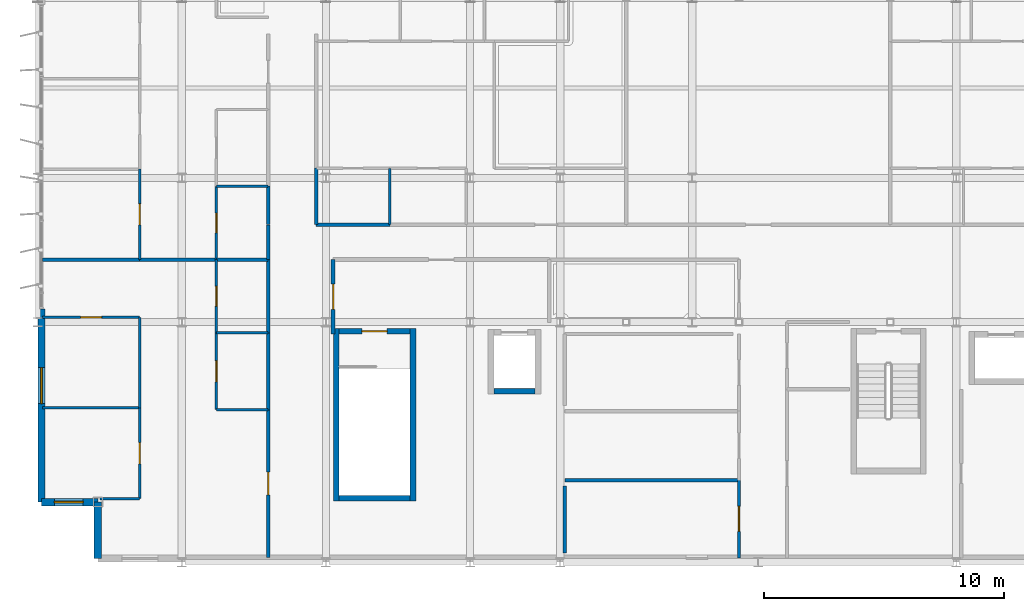
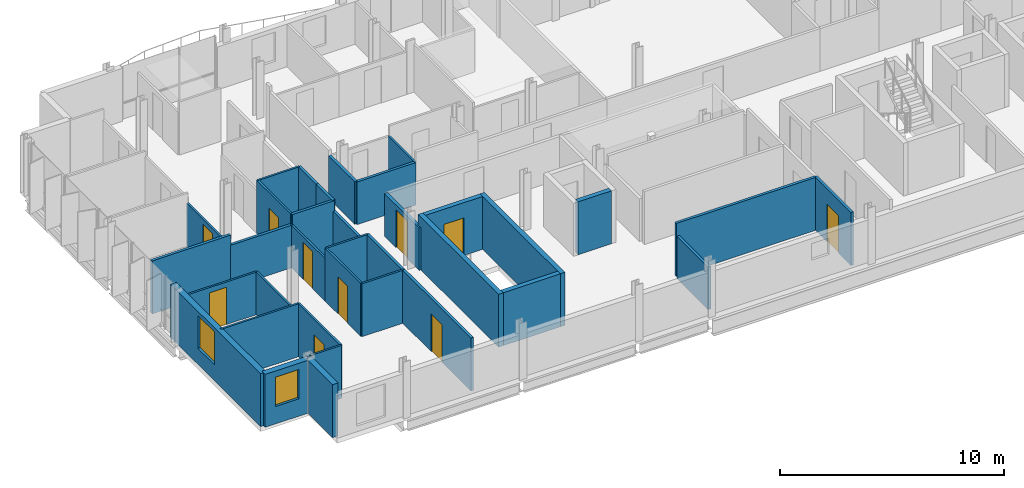
# One storey, part 26 of 35: 35 walls, 10 doors, 2 windows, 12 openings.
"""IFC4 building model written with IfcOpenShell, lengths in metres."""

from ifc_helpers import new_model, si_unit, direction, frame, frame_2d, origin, place, context, subcontext, project, spatial, rectangle, extrude, material, layer, layer_set, type_object, element, fill, save


model = new_model("IFC4")

# Units and contexts
model_context = context("Model", 3, precision=1e-05, world=origin(), true_north=direction((0.0, 1.0)))
body_context = subcontext(model_context, "Body", "Model", "MODEL_VIEW")
ifc_project = project(units=[si_unit("LENGTHUNIT", "METRE"), si_unit("AREAUNIT", "SQUARE_METRE"), si_unit("VOLUMEUNIT", "CUBIC_METRE"), si_unit("PLANEANGLEUNIT", "RADIAN"), si_unit("MASSUNIT", "GRAM", prefix="KILO")], contexts=[model_context])

# Site, building, storey
site_placement = place(None, origin())
site = spatial("IfcSite", under=ifc_project, at=site_placement, CompositionType="ELEMENT")
building_placement = place(site_placement, origin())
building = spatial("IfcBuilding", under=site, at=building_placement, Name="Brevholm Reach", CompositionType="ELEMENT")
storey_placement = place(building_placement, frame((0.0, 0.0, 218.0)))
storey = spatial("IfcBuildingStorey", under=building, at=storey_placement, Name="L66", CompositionType="ELEMENT", Elevation=218.0)

# Walls
ifc_material_1 = material(Name="Concrete C45/55", Category="concrete")
ifc_layer_1 = layer(ifc_material_1, 0.239990234375)
ifc_layer_set_1 = layer_set([ifc_layer_1], Name="Concrete C45/55")
wall_type_1 = type_object("IfcWallType", Name="WAL-COR-240", PredefinedType="SHEAR", material=ifc_layer_set_1)
for number, where, z_axis, x_axis, name in (
    (1, (12.429931640625, 2.5400390625, 0.0), (0.0, 0.0, 1.0), (0.0, 1.0, 0.0), "L66 Escape Stair ST-1 Core Wall W"),
    (2, (15.6201171875, 2.5400390625, 0.0), (0.0, 0.0, 1.0), (0.0, 1.0, 0.0), "L66 Escape Stair ST-1 Core Wall E"),
):
    element("IfcWall", number, at=place(storey_placement, frame(where, z_axis=z_axis, x_axis=x_axis)), inside=storey, type_object=wall_type_1, Name=name, PredefinedType="SHEAR", context=body_context, shape_type="SweptSolid", body=[
        extrude(rectangle(XDim=7.199951171875, YDim=0.239990234375, at=frame_2d((3.60009765625, 0.0))), origin(), (0.0, 0.0, 1.0), 2.889892578125),
    ])
wall_1_placement = place(storey_placement, frame((12.550048828125, 2.659912109375, 0.0), z_axis=(0.0, 0.0, 1.0), x_axis=(1.0, 0.0, 0.0)))
element("IfcWall", 3, at=wall_1_placement, inside=storey, type_object=wall_type_1, Name="L66 Escape Stair ST-1 Core Wall S", PredefinedType="SHEAR", context=body_context, shape_type="SweptSolid", body=[
    extrude(rectangle(XDim=2.949951171875, YDim=0.239990234375, at=frame_2d((1.47509765625, 0.0))), origin(), (0.0, 0.0, 1.0), 2.889892578125),
])

# Wall, opening, door
wall_2_placement = place(storey_placement, frame((15.5, 9.6201171875, 0.0), z_axis=(0.0, 0.0, 1.0), x_axis=(-1.0, 0.0, 0.0)))
wall_2 = element("IfcWall", 4, at=wall_2_placement, inside=storey, type_object=wall_type_1, Name="L66 Escape Stair ST-1 Core Wall N", PredefinedType="SHEAR", context=body_context, shape_type="SweptSolid", body=[
    extrude(rectangle(XDim=2.949951171875, YDim=0.239990234375, at=frame_2d((1.47509765625, 0.0))), origin(), (0.0, 0.0, 1.0), 2.889892578125),
])
opening_1_placement = place(wall_2_placement, frame((0.949951171875, 0.0, 0.0)))
opening_1 = element("IfcOpeningElement", 5, at=opening_1_placement, cuts=wall_2, Name="Opening SD-ST-1", PredefinedType="OPENING", context=body_context, shape_type="SweptSolid", body=[
    extrude(rectangle(XDim=1.050048828125, YDim=2.06005859375, at=frame_2d((0.52490234375, 1.030029296875))), frame((0.0, 0.1298828125, 0.0), z_axis=(0.0, -1.0, 0.0), x_axis=(1.0, 0.0, 0.0)), (0.0, 0.0, 1.0), 0.260009765625),
])
ifc_material_2 = material(Name="Hardwood-Lipped Steel-Core Fire and Smoke Door", Category="steel")
door_type_1 = type_object("IfcDoorType", Name="DOR-INT-FD60S", OperationType="NOTDEFINED", PredefinedType="DOOR", material=ifc_material_2)
door_1_placement = place(opening_1_placement, origin())
door_1 = element("IfcDoor", 6, at=door_1_placement, inside=storey, type_object=door_type_1, Name="L66 Protected Stair ST-1 Lobby Door", OperationType="SINGLE_SWING_RIGHT", OverallHeight=2.06005859375, OverallWidth=1.050048828125, PredefinedType="DOOR", context=body_context, shape_type="SweptSolid", body=[
    extrude(rectangle(XDim=1.050048828125, YDim=2.06005859375, at=frame_2d((0.52490234375, 1.030029296875))), frame((0.0, 0.02490234375, 0.0), z_axis=(0.0, -1.0, 0.0), x_axis=(1.0, 0.0, 0.0)), (0.0, 0.0, 1.0), 0.050048828125),
])
fill(opening_1, door_1)

# Walls
wall_3_placement = place(storey_placement, frame((18.989990234375, 7.1201171875, 0.0), z_axis=(0.0, 0.0, 1.0), x_axis=(1.0, 0.0, 0.0)))
element("IfcWall", 7, at=wall_3_placement, inside=storey, type_object=wall_type_1, Name="L66 Lift FFL-1 Shaft Wall S", PredefinedType="SHEAR", context=body_context, shape_type="SweptSolid", body=[
    extrude(rectangle(XDim=1.719970703125, YDim=0.239990234375, at=frame_2d((0.85986328125, 0.0))), origin(), (0.0, 0.0, 1.0), 2.889892578125),
])
ifc_material_3 = material(Name="Concrete C40/50", Category="concrete")
ifc_layer_2 = layer(ifc_material_3, 0.300048828125)
ifc_layer_set_2 = layer_set([ifc_layer_2], Name="Concrete C40/50")
wall_type_2 = type_object("IfcWallType", Name="WAL-EXT-300", PredefinedType="STANDARD", material=ifc_layer_set_2)
wall_4_placement = place(storey_placement, frame((2.5, 2.5, 0.0), z_axis=(0.0, 0.0, 1.0), x_axis=(0.0, -1.0, 0.0)))
element("IfcWall", 8, at=wall_4_placement, inside=storey, type_object=wall_type_2, Name="L66 Facade Wall WAL-L66-CSW1", PredefinedType="STANDARD", context=body_context, shape_type="SweptSolid", body=[
    extrude(rectangle(XDim=2.35009765625, YDim=0.300048828125, at=frame_2d((1.175048828125, 0.0))), origin(), (0.0, 0.0, 1.0), 2.889892578125),
])

# Wall, opening, window
wall_5_placement = place(storey_placement, frame((0.14990234375, 2.5, 0.0), z_axis=(0.0, 0.0, 1.0), x_axis=(1.0, 0.0, 0.0)))
wall_5 = element("IfcWall", 9, at=wall_5_placement, inside=storey, type_object=wall_type_2, Name="L66 Facade Wall WAL-L66-CSW2", PredefinedType="STANDARD", context=body_context, shape_type="SweptSolid", body=[
    extrude(rectangle(XDim=2.35009765625, YDim=0.300048828125, at=frame_2d((1.175048828125, 0.0))), origin(), (0.0, 0.0, 1.0), 2.889892578125),
])
opening_2_placement = place(wall_5_placement, frame((0.5400390625, 0.0, 0.949951171875)))
opening_2 = element("IfcOpeningElement", 10, at=opening_2_placement, cuts=wall_5, Name="Opening WN-08", PredefinedType="OPENING", context=body_context, shape_type="SweptSolid", body=[
    extrude(rectangle(XDim=1.199951171875, YDim=1.60009765625, at=frame_2d((0.60009765625, 0.800048828125))), frame((0.0, 0.159912109375, 0.0), z_axis=(0.0, -1.0, 0.0), x_axis=(1.0, 0.0, 0.0)), (0.0, 0.0, 1.0), 0.320068359375),
])
ifc_material_4 = material(Name="Dark Anodised Aluminium and Solar-Control IGU Glass", Category="aluminium")
window_type_1 = type_object("IfcWindowType", Name="WIN-RES-1200", PartitioningType="SINGLE_PANEL", PredefinedType="WINDOW", material=ifc_material_4)
window_1_placement = place(opening_2_placement, origin())
window_1 = element("IfcWindow", 11, at=window_1_placement, inside=storey, type_object=window_type_1, Name="L66 Bedroom Window 072", OverallHeight=1.60009765625, OverallWidth=1.199951171875, PartitioningType="SINGLE_PANEL", PredefinedType="WINDOW", context=body_context, shape_type="SweptSolid", body=[
    extrude(rectangle(XDim=1.199951171875, YDim=1.60009765625, at=frame_2d((0.60009765625, 0.800048828125))), frame((0.0, 0.030029296875, 0.0), z_axis=(0.0, -1.0, 0.0), x_axis=(1.0, 0.0, 0.0)), (0.0, 0.0, 1.0), 0.06005859375),
])
fill(opening_2, window_1)

wall_6_placement = place(storey_placement, frame((0.14990234375, 10.550048828125, 0.0), z_axis=(0.0, 0.0, 1.0), x_axis=(0.0, -1.0, 0.0)))
wall_6 = element("IfcWall", 12, at=wall_6_placement, inside=storey, type_object=wall_type_2, Name="L66 Facade Wall WAL-L66-W-S", PredefinedType="STANDARD", context=body_context, shape_type="SweptSolid", body=[
    extrude(rectangle(XDim=8.050048828125, YDim=0.300048828125, at=frame_2d((4.02490234375, 0.0))), origin(), (0.0, 0.0, 1.0), 2.889892578125),
])
opening_3_placement = place(wall_6_placement, frame((2.445068359375, 0.0, 0.8701171875)))
opening_3 = element("IfcOpeningElement", 13, at=opening_3_placement, cuts=wall_6, Name="Opening WN-05", PredefinedType="OPENING", context=body_context, shape_type="SweptSolid", body=[
    extrude(rectangle(XDim=1.5, YDim=1.800048828125, at=frame_2d((0.75, 0.89990234375))), frame((0.0, 0.159912109375, 0.0), z_axis=(0.0, -1.0, 0.0), x_axis=(1.0, 0.0, 0.0)), (0.0, 0.0, 1.0), 0.320068359375),
])
ifc_material_5 = material(Name="Dark Anodised Aluminium and Solar-Control IGU Glass", Category="aluminium")
window_type_2 = type_object("IfcWindowType", Name="WIN-RES-1500", PartitioningType="SINGLE_PANEL", PredefinedType="WINDOW", material=ifc_material_5)
window_2_placement = place(opening_3_placement, origin())
window_2 = element("IfcWindow", 14, at=window_2_placement, inside=storey, type_object=window_type_2, Name="L66 Window WIN-L66-WS-1", OverallHeight=1.800048828125, OverallWidth=1.5, PartitioningType="SINGLE_PANEL", PredefinedType="WINDOW", context=body_context, shape_type="SweptSolid", body=[
    extrude(rectangle(XDim=1.5, YDim=1.800048828125, at=frame_2d((0.75, 0.89990234375))), frame((0.0, 0.030029296875, 0.0), z_axis=(0.0, -1.0, 0.0), x_axis=(1.0, 0.0, 0.0)), (0.0, 0.0, 1.0), 0.06005859375),
])
fill(opening_3, window_2)

# Wall
ifc_material_6 = material(Name="Moisture-Resistant Acoustic Gypsum Stud Partition 100 mm", Category="gypsum")
ifc_layer_3 = layer(ifc_material_6, 0.10009765625)
ifc_layer_set_3 = layer_set([ifc_layer_3], Name="Moisture-Resistant Acoustic Gypsum Stud Partition 100 mm")
wall_type_3 = type_object("IfcWallType", Name="WAL-PRT-100", PredefinedType="PARTITIONING", material=ifc_layer_set_3)
wall_7_placement = place(storey_placement, frame((7.43798828125, 9.550048828125, 0.0), z_axis=(0.0, 0.0, 1.0), x_axis=(1.0, 0.0, 0.0)))
element("IfcWall", 15, at=wall_7_placement, inside=storey, type_object=wall_type_3, Name="L66 Internal Partition 038", PredefinedType="PARTITIONING", context=body_context, shape_type="SweptSolid", body=[
    extrude(rectangle(XDim=2.157958984375, YDim=0.10009765625, at=frame_2d((1.0791015625, 0.0))), origin(), (0.0, 0.0, 1.0), 2.889892578125),
])

# Wall, opening, door
wall_8_placement = place(storey_placement, frame((7.43798828125, 9.550048828125, 0.0), z_axis=(0.0, 0.0, 1.0), x_axis=(0.0, 1.0, 0.0)))
wall_8 = element("IfcWall", 16, at=wall_8_placement, inside=storey, type_object=wall_type_3, Name="L66 Internal Partition 039", PredefinedType="PARTITIONING", context=body_context, shape_type="SweptSolid", body=[
    extrude(rectangle(XDim=3.050048828125, YDim=0.10009765625, at=frame_2d((1.52490234375, 0.0))), origin(), (0.0, 0.0, 1.0), 2.325439453125),
])
opening_4_placement = place(wall_8_placement, frame((1.114990234375, 0.0, 0.0)))
opening_4 = element("IfcOpeningElement", 17, at=opening_4_placement, cuts=wall_8, Name="Opening ID-03", PredefinedType="OPENING", context=body_context, shape_type="SweptSolid", body=[
    extrude(rectangle(XDim=0.820068359375, YDim=2.02001953125, at=frame_2d((0.41015625, 1.010009765625))), frame((0.0, 0.06005859375, 0.0), z_axis=(0.0, -1.0, 0.0), x_axis=(1.0, 0.0, 0.0)), (0.0, 0.0, 1.0), 0.1201171875),
])
ifc_material_7 = material(Name="Moisture-Resistant Painted Timber Internal Bathroom Door", Category="wood")
door_type_2 = type_object("IfcDoorType", Name="DOR-BATH-820", OperationType="NOTDEFINED", PredefinedType="DOOR", material=ifc_material_7)
door_2_placement = place(opening_4_placement, origin())
door_2 = element("IfcDoor", 18, at=door_2_placement, inside=storey, type_object=door_type_2, Name="L66 Internal Door 019", OperationType="SINGLE_SWING_RIGHT", OverallHeight=2.02001953125, OverallWidth=0.820068359375, PredefinedType="DOOR", context=body_context, shape_type="SweptSolid", body=[
    extrude(rectangle(XDim=0.820068359375, YDim=2.02001953125, at=frame_2d((0.41015625, 1.010009765625))), frame((0.0, 0.02490234375, 0.0), z_axis=(0.0, -1.0, 0.0), x_axis=(1.0, 0.0, 0.0)), (0.0, 0.0, 1.0), 0.050048828125),
])
fill(opening_4, door_2)

# Wall
wall_9_placement = place(storey_placement, frame((7.43798828125, 6.35009765625, 0.0), z_axis=(0.0, 0.0, 1.0), x_axis=(1.0, 0.0, 0.0)))
element("IfcWall", 19, at=wall_9_placement, inside=storey, type_object=wall_type_3, Name="L66 Internal Partition 041", PredefinedType="PARTITIONING", context=body_context, shape_type="SweptSolid", body=[
    extrude(rectangle(XDim=2.157958984375, YDim=0.10009765625, at=frame_2d((1.0791015625, 0.0))), origin(), (0.0, 0.0, 1.0), 2.889892578125),
])

# Wall, opening, door
wall_10_placement = place(storey_placement, frame((7.43798828125, 6.35009765625, 0.0), z_axis=(0.0, 0.0, 1.0), x_axis=(0.0, 1.0, 0.0)))
wall_10 = element("IfcWall", 20, at=wall_10_placement, inside=storey, type_object=wall_type_3, Name="L66 Internal Partition 042", PredefinedType="PARTITIONING", context=body_context, shape_type="SweptSolid", body=[
    extrude(rectangle(XDim=3.19580078125, YDim=0.10009765625, at=frame_2d((1.597900390625, 0.0))), origin(), (0.0, 0.0, 1.0), 2.889892578125),
])
opening_5_placement = place(wall_10_placement, frame((1.157958984375, 0.0, 0.0)))
opening_5 = element("IfcOpeningElement", 21, at=opening_5_placement, cuts=wall_10, Name="Opening ID-01", PredefinedType="OPENING", context=body_context, shape_type="SweptSolid", body=[
    extrude(rectangle(XDim=0.8798828125, YDim=2.0400390625, at=frame_2d((0.43994140625, 1.02001953125))), frame((0.0, 0.06005859375, 0.0), z_axis=(0.0, -1.0, 0.0), x_axis=(1.0, 0.0, 0.0)), (0.0, 0.0, 1.0), 0.1201171875),
])
ifc_material_8 = material(Name="Lacquered Ash Solid-Core Acoustic Internal Door", Category="timber")
door_type_3 = type_object("IfcDoorType", Name="DOR-INT-880", OperationType="NOTDEFINED", PredefinedType="DOOR", material=ifc_material_8)
door_3_placement = place(opening_5_placement, origin())
door_3 = element("IfcDoor", 22, at=door_3_placement, inside=storey, type_object=door_type_3, Name="L66 Internal Door 020", OperationType="SINGLE_SWING_LEFT", OverallHeight=2.0400390625, OverallWidth=0.8798828125, PredefinedType="DOOR", context=body_context, shape_type="SweptSolid", body=[
    extrude(rectangle(XDim=0.8798828125, YDim=2.0400390625, at=frame_2d((0.43994140625, 1.02001953125))), frame((0.0, 0.02490234375, 0.0), z_axis=(0.0, -1.0, 0.0), x_axis=(1.0, 0.0, 0.0)), (0.0, 0.0, 1.0), 0.050048828125),
])
fill(opening_5, door_3)

# Walls
wall_11_placement = place(storey_placement, frame((0.199951171875, 6.425048828125, 0.0), z_axis=(0.0, 0.0, 1.0), x_axis=(1.0, 0.0, 0.0)))
element("IfcWall", 23, at=wall_11_placement, inside=storey, type_object=wall_type_3, Name="L66 Internal Partition 043", PredefinedType="PARTITIONING", context=body_context, shape_type="SweptSolid", body=[
    extrude(rectangle(XDim=4.0419921875, YDim=0.10009765625, at=frame_2d((2.02099609375, 0.0))), origin(), (0.0, 0.0, 1.0), 2.889892578125),
])
wall_12_placement = place(storey_placement, frame((2.599365234375, 2.64990234375, 0.0), z_axis=(0.0, 0.0, 1.0), x_axis=(1.0, 0.0, 0.0)))
element("IfcWall", 24, at=wall_12_placement, inside=storey, type_object=wall_type_3, Name="L66 Internal Partition 044", PredefinedType="PARTITIONING", context=body_context, shape_type="SweptSolid", body=[
    extrude(rectangle(XDim=1.642578125, YDim=0.10009765625, at=frame_2d((0.8212890625, 0.0))), origin(), (0.0, 0.0, 1.0), 2.889892578125),
])

# Wall, opening, door
wall_13_placement = place(storey_placement, frame((4.241943359375, 2.64990234375, 0.0), z_axis=(0.0, 0.0, 1.0), x_axis=(0.0, 1.0, 0.0)))
wall_13 = element("IfcWall", 25, at=wall_13_placement, inside=storey, type_object=wall_type_3, Name="L66 Internal Partition 045", PredefinedType="PARTITIONING", context=body_context, shape_type="SweptSolid", body=[
    extrude(rectangle(XDim=3.775146484375, YDim=0.10009765625, at=frame_2d((1.8876953125, 0.0))), origin(), (0.0, 0.0, 1.0), 2.889892578125),
])
opening_6_placement = place(wall_13_placement, frame((1.447509765625, 0.0, 0.0)))
opening_6 = element("IfcOpeningElement", 26, at=opening_6_placement, cuts=wall_13, Name="Opening ID-01", PredefinedType="OPENING", context=body_context, shape_type="SweptSolid", body=[
    extrude(rectangle(XDim=0.8798828125, YDim=2.0400390625, at=frame_2d((0.43994140625, 1.02001953125))), frame((0.0, 0.06005859375, 0.0), z_axis=(0.0, -1.0, 0.0), x_axis=(1.0, 0.0, 0.0)), (0.0, 0.0, 1.0), 0.1201171875),
])
door_4_placement = place(opening_6_placement, origin())
door_4 = element("IfcDoor", 27, at=door_4_placement, inside=storey, type_object=door_type_3, Name="L66 Internal Door 021", OperationType="SINGLE_SWING_RIGHT", OverallHeight=2.0400390625, OverallWidth=0.8798828125, PredefinedType="DOOR", context=body_context, shape_type="SweptSolid", body=[
    extrude(rectangle(XDim=0.8798828125, YDim=2.0400390625, at=frame_2d((0.43994140625, 1.02001953125))), frame((0.0, 0.02490234375, 0.0), z_axis=(0.0, -1.0, 0.0), x_axis=(1.0, 0.0, 0.0)), (0.0, 0.0, 1.0), 0.050048828125),
])
fill(opening_6, door_4)

# Wall
wall_14_placement = place(storey_placement, frame((4.241943359375, 6.428955078125, 0.0), z_axis=(0.0, 0.0, 1.0), x_axis=(0.0, 1.0, 0.0)))
element("IfcWall", 28, at=wall_14_placement, inside=storey, type_object=wall_type_3, Name="L66 Internal Partition 046", PredefinedType="PARTITIONING", context=body_context, shape_type="SweptSolid", body=[
    extrude(rectangle(XDim=3.77099609375, YDim=0.10009765625, at=frame_2d((1.885498046875, 0.0))), origin(), (0.0, 0.0, 1.0), 2.325439453125),
])

# Wall, opening, door
wall_15_placement = place(storey_placement, frame((0.199951171875, 10.199951171875, 0.0), z_axis=(0.0, 0.0, 1.0), x_axis=(1.0, 0.0, 0.0)))
wall_15 = element("IfcWall", 29, at=wall_15_placement, inside=storey, type_object=wall_type_3, Name="L66 Internal Partition 047", PredefinedType="PARTITIONING", context=body_context, shape_type="SweptSolid", body=[
    extrude(rectangle(XDim=4.0419921875, YDim=0.10009765625, at=frame_2d((2.02099609375, 0.0))), origin(), (0.0, 0.0, 1.0), 2.325439453125),
])
opening_7_placement = place(wall_15_placement, frame((1.5810546875, 0.0, 0.0)))
opening_7 = element("IfcOpeningElement", 30, at=opening_7_placement, cuts=wall_15, Name="Opening ID-01", PredefinedType="OPENING", context=body_context, shape_type="SweptSolid", body=[
    extrude(rectangle(XDim=0.8798828125, YDim=2.0400390625, at=frame_2d((0.43994140625, 1.02001953125))), frame((0.0, 0.06005859375, 0.0), z_axis=(0.0, -1.0, 0.0), x_axis=(1.0, 0.0, 0.0)), (0.0, 0.0, 1.0), 0.1201171875),
])
door_5_placement = place(opening_7_placement, origin())
door_5 = element("IfcDoor", 31, at=door_5_placement, inside=storey, type_object=door_type_3, Name="L66 Internal Door 022", OperationType="SINGLE_SWING_LEFT", OverallHeight=2.0400390625, OverallWidth=0.8798828125, PredefinedType="DOOR", context=body_context, shape_type="SweptSolid", body=[
    extrude(rectangle(XDim=0.8798828125, YDim=2.0400390625, at=frame_2d((0.43994140625, 1.02001953125))), frame((0.0, 0.02490234375, 0.0), z_axis=(0.0, -1.0, 0.0), x_axis=(1.0, 0.0, 0.0)), (0.0, 0.0, 1.0), 0.050048828125),
])
fill(opening_7, door_5)

# Wall
wall_16_placement = place(storey_placement, frame((7.43798828125, 15.64990234375, 0.0), z_axis=(0.0, 0.0, 1.0), x_axis=(1.0, 0.0, 0.0)))
element("IfcWall", 32, at=wall_16_placement, inside=storey, type_object=wall_type_3, Name="L66 Internal Partition 056", PredefinedType="PARTITIONING", context=body_context, shape_type="SweptSolid", body=[
    extrude(rectangle(XDim=2.157958984375, YDim=0.10009765625, at=frame_2d((1.0791015625, 0.0))), origin(), (0.0, 0.0, 1.0), 2.889892578125),
])

# Wall, opening, door
wall_17_placement = place(storey_placement, frame((7.43798828125, 12.60400390625, 0.0), z_axis=(0.0, 0.0, 1.0), x_axis=(0.0, 1.0, 0.0)))
wall_17 = element("IfcWall", 33, at=wall_17_placement, inside=storey, type_object=wall_type_3, Name="L66 Internal Partition 057", PredefinedType="PARTITIONING", context=body_context, shape_type="SweptSolid", body=[
    extrude(rectangle(XDim=3.0458984375, YDim=0.10009765625, at=frame_2d((1.52294921875, 0.0))), origin(), (0.0, 0.0, 1.0), 2.889892578125),
])
opening_8_placement = place(wall_17_placement, frame((1.113037109375, 0.0, 0.0)))
opening_8 = element("IfcOpeningElement", 34, at=opening_8_placement, cuts=wall_17, Name="Opening ID-03", PredefinedType="OPENING", context=body_context, shape_type="SweptSolid", body=[
    extrude(rectangle(XDim=0.820068359375, YDim=2.02001953125, at=frame_2d((0.41015625, 1.010009765625))), frame((0.0, 0.06005859375, 0.0), z_axis=(0.0, -1.0, 0.0), x_axis=(1.0, 0.0, 0.0)), (0.0, 0.0, 1.0), 0.1201171875),
])
door_6_placement = place(opening_8_placement, origin())
door_6 = element("IfcDoor", 35, at=door_6_placement, inside=storey, type_object=door_type_2, Name="L66 Internal Door 024", OperationType="SINGLE_SWING_LEFT", OverallHeight=2.02001953125, OverallWidth=0.820068359375, PredefinedType="DOOR", context=body_context, shape_type="SweptSolid", body=[
    extrude(rectangle(XDim=0.820068359375, YDim=2.02001953125, at=frame_2d((0.41015625, 1.010009765625))), frame((0.0, 0.02490234375, 0.0), z_axis=(0.0, -1.0, 0.0), x_axis=(1.0, 0.0, 0.0)), (0.0, 0.0, 1.0), 0.050048828125),
])
fill(opening_8, door_6)

wall_18_placement = place(storey_placement, frame((4.241943359375, 12.60400390625, 0.0), z_axis=(0.0, 0.0, 1.0), x_axis=(0.0, 1.0, 0.0)))
wall_18 = element("IfcWall", 36, at=wall_18_placement, inside=storey, type_object=wall_type_3, Name="L66 Internal Partition 063", PredefinedType="PARTITIONING", context=body_context, shape_type="SweptSolid", body=[
    extrude(rectangle(XDim=3.762939453125, YDim=0.10009765625, at=frame_2d((1.88134765625, 0.0))), origin(), (0.0, 0.0, 1.0), 2.325439453125),
])
opening_9_placement = place(wall_18_placement, frame((1.44140625, 0.0, 0.0)))
opening_9 = element("IfcOpeningElement", 37, at=opening_9_placement, cuts=wall_18, Name="Opening ID-01", PredefinedType="OPENING", context=body_context, shape_type="SweptSolid", body=[
    extrude(rectangle(XDim=0.8798828125, YDim=2.0400390625, at=frame_2d((0.43994140625, 1.02001953125))), frame((0.0, 0.06005859375, 0.0), z_axis=(0.0, -1.0, 0.0), x_axis=(1.0, 0.0, 0.0)), (0.0, 0.0, 1.0), 0.1201171875),
])
door_7_placement = place(opening_9_placement, origin())
door_7 = element("IfcDoor", 38, at=door_7_placement, inside=storey, type_object=door_type_3, Name="L66 Internal Door 027", OperationType="SINGLE_SWING_RIGHT", OverallHeight=2.0400390625, OverallWidth=0.8798828125, PredefinedType="DOOR", context=body_context, shape_type="SweptSolid", body=[
    extrude(rectangle(XDim=0.8798828125, YDim=2.0400390625, at=frame_2d((0.43994140625, 1.02001953125))), frame((0.0, 0.02490234375, 0.0), z_axis=(0.0, -1.0, 0.0), x_axis=(1.0, 0.0, 0.0)), (0.0, 0.0, 1.0), 0.050048828125),
])
fill(opening_9, door_7)

# Wall
wall_19_placement = place(storey_placement, frame((14.64990234375, 14.053955078125, 0.0), z_axis=(0.0, 0.0, 1.0), x_axis=(0.0, 1.0, 0.0)))
element("IfcWall", 39, at=wall_19_placement, inside=storey, type_object=wall_type_3, Name="L66 Internal Partition 068", PredefinedType="PARTITIONING", context=body_context, shape_type="SweptSolid", body=[
    extrude(rectangle(XDim=2.345947265625, YDim=0.10009765625, at=frame_2d((1.1728515625, 0.0))), origin(), (0.0, 0.0, 1.0), 2.325439453125),
])

# Wall, opening, door
ifc_material_9 = material(Name="Twin-Stud Acoustic Fire-Rated Gypsum Partition 140 mm", Category="gypsum")
ifc_layer_4 = layer(ifc_material_9, 0.139892578125)
ifc_layer_set_4 = layer_set([ifc_layer_4], Name="Twin-Stud Acoustic Fire-Rated Gypsum Partition 140 mm")
wall_type_4 = type_object("IfcWallType", Name="WAL-PRT-140", PredefinedType="PARTITIONING", material=ifc_layer_set_4)
wall_20_placement = place(storey_placement, frame((29.199951171875, 0.179931640625, 0.0), z_axis=(0.0, 0.0, 1.0), x_axis=(0.0, 1.0, 0.0)))
wall_20 = element("IfcWall", 40, at=wall_20_placement, inside=storey, type_object=wall_type_4, Name="L66 Internal Partition 001", PredefinedType="PARTITIONING", context=body_context, shape_type="SweptSolid", body=[
    extrude(rectangle(XDim=3.247314453125, YDim=0.139892578125, at=frame_2d((1.62353515625, 0.0))), origin(), (0.0, 0.0, 1.0), 2.889892578125),
])
opening_10_placement = place(wall_20_placement, frame((1.0986328125, 0.0, 0.0)))
opening_10 = element("IfcOpeningElement", 41, at=opening_10_placement, cuts=wall_20, Name="Opening FD-01", PredefinedType="OPENING", context=body_context, shape_type="SweptSolid", body=[
    extrude(rectangle(XDim=1.050048828125, YDim=2.06005859375, at=frame_2d((0.52490234375, 1.030029296875))), frame((0.0, 0.079833984375, 0.0), z_axis=(0.0, -1.0, 0.0), x_axis=(1.0, 0.0, 0.0)), (0.0, 0.0, 1.0), 0.159912109375),
])
door_8_placement = place(opening_10_placement, origin())
door_8 = element("IfcDoor", 42, at=door_8_placement, inside=storey, type_object=door_type_1, Name="L66 Internal Door 001", OperationType="SINGLE_SWING_RIGHT", OverallHeight=2.06005859375, OverallWidth=1.050048828125, PredefinedType="DOOR", context=body_context, shape_type="SweptSolid", body=[
    extrude(rectangle(XDim=1.050048828125, YDim=2.06005859375, at=frame_2d((0.52490234375, 1.030029296875))), frame((0.0, 0.02490234375, 0.0), z_axis=(0.0, -1.0, 0.0), x_axis=(1.0, 0.0, 0.0)), (0.0, 0.0, 1.0), 0.050048828125),
])
fill(opening_10, door_8)

# Walls
wall_21_placement = place(storey_placement, frame((21.949951171875, 3.416015625, 0.0), z_axis=(0.0, 0.0, 1.0), x_axis=(1.0, 0.0, 0.0)))
element("IfcWall", 43, at=wall_21_placement, inside=storey, type_object=wall_type_4, Name="L66 Internal Partition 007", PredefinedType="PARTITIONING", context=body_context, shape_type="SweptSolid", body=[
    extrude(rectangle(XDim=7.24609375, YDim=0.139892578125, at=frame_2d((3.623046875, 0.0))), origin(), (0.0, 0.0, 1.0), 2.889892578125),
])
wall_22_placement = place(storey_placement, frame((9.60009765625, 12.60009765625, 0.0), z_axis=(0.0, 0.0, 1.0), x_axis=(0.0, 1.0, 0.0)))
element("IfcWall", 44, at=wall_22_placement, inside=storey, type_object=wall_type_4, Name="L66 Internal Partition 022", PredefinedType="PARTITIONING", context=body_context, shape_type="SweptSolid", body=[
    extrude(rectangle(XDim=1.449951171875, YDim=0.139892578125, at=frame_2d((0.72509765625, 0.0))), origin(), (0.0, 0.0, 1.0), 2.889892578125),
])
wall_23_placement = place(storey_placement, frame((11.5927734375, 14.050048828125, 0.0), z_axis=(0.0, 0.0, 1.0), x_axis=(1.0, 0.0, 0.0)))
element("IfcWall", 45, at=wall_23_placement, inside=storey, type_object=wall_type_4, Name="L66 Internal Partition 024", PredefinedType="PARTITIONING", context=body_context, shape_type="SweptSolid", body=[
    extrude(rectangle(XDim=3.068603515625, YDim=0.139892578125, at=frame_2d((1.5341796875, 0.0))), origin(), (0.0, 0.0, 1.0), 2.325439453125),
])
wall_24_placement = place(storey_placement, frame((9.60009765625, 9.538818359375, 0.0), z_axis=(0.0, 0.0, 1.0), x_axis=(0.0, 1.0, 0.0)))
element("IfcWall", 46, at=wall_24_placement, inside=storey, type_object=wall_type_4, Name="L66 Internal Partition 034", PredefinedType="PARTITIONING", context=body_context, shape_type="SweptSolid", body=[
    extrude(rectangle(XDim=3.05712890625, YDim=0.139892578125, at=frame_2d((1.528564453125, 0.0))), origin(), (0.0, 0.0, 1.0), 2.325439453125),
])
wall_25_placement = place(storey_placement, frame((9.60009765625, 6.338623046875, 0.0), z_axis=(0.0, 0.0, 1.0), x_axis=(0.0, 1.0, 0.0)))
element("IfcWall", 47, at=wall_25_placement, inside=storey, type_object=wall_type_4, Name="L66 Internal Partition 035", PredefinedType="PARTITIONING", context=body_context, shape_type="SweptSolid", body=[
    extrude(rectangle(XDim=3.21875, YDim=0.139892578125, at=frame_2d((1.609375, 0.0))), origin(), (0.0, 0.0, 1.0), 2.889892578125),
])

# Wall, opening, door
wall_26_placement = place(storey_placement, frame((9.60009765625, 0.199951171875, 0.0), z_axis=(0.0, 0.0, 1.0), x_axis=(0.0, 1.0, 0.0)))
wall_26 = element("IfcWall", 48, at=wall_26_placement, inside=storey, type_object=wall_type_4, Name="L66 Internal Partition 036", PredefinedType="PARTITIONING", context=body_context, shape_type="SweptSolid", body=[
    extrude(rectangle(XDim=6.157470703125, YDim=0.139892578125, at=frame_2d((3.07861328125, 0.0))), origin(), (0.0, 0.0, 1.0), 2.889892578125),
])
opening_11_placement = place(wall_26_placement, frame((2.603759765625, 0.0, 0.0)))
opening_11 = element("IfcOpeningElement", 49, at=opening_11_placement, cuts=wall_26, Name="Opening ID-30", PredefinedType="OPENING", context=body_context, shape_type="SweptSolid", body=[
    extrude(rectangle(XDim=0.949951171875, YDim=2.050048828125, at=frame_2d((0.47509765625, 1.02490234375))), frame((0.0, 0.079833984375, 0.0), z_axis=(0.0, -1.0, 0.0), x_axis=(1.0, 0.0, 0.0)), (0.0, 0.0, 1.0), 0.159912109375),
])
ifc_material_10 = material(Name="European Oak Veneered Solid-Core Fire Entrance Door", Category="timber")
door_type_4 = type_object("IfcDoorType", Name="DOR-FLT-FD30S", OperationType="NOTDEFINED", PredefinedType="DOOR", material=ifc_material_10)
door_9_placement = place(opening_11_placement, origin())
door_9 = element("IfcDoor", 50, at=door_9_placement, inside=storey, type_object=door_type_4, Name="L66 Internal Door 017", OperationType="SINGLE_SWING_RIGHT", OverallHeight=2.050048828125, OverallWidth=0.949951171875, PredefinedType="DOOR", context=body_context, shape_type="SweptSolid", body=[
    extrude(rectangle(XDim=0.949951171875, YDim=2.050048828125, at=frame_2d((0.47509765625, 1.02490234375))), frame((0.0, 0.02490234375, 0.0), z_axis=(0.0, -1.0, 0.0), x_axis=(1.0, 0.0, 0.0)), (0.0, 0.0, 1.0), 0.050048828125),
])
fill(opening_11, door_9)

# Walls
wall_27_placement = place(storey_placement, frame((7.43798828125, 12.60009765625, 0.0), z_axis=(0.0, 0.0, 1.0), x_axis=(1.0, 0.0, 0.0)))
element("IfcWall", 51, at=wall_27_placement, inside=storey, type_object=wall_type_4, Name="L66 Internal Partition 040", PredefinedType="PARTITIONING", context=body_context, shape_type="SweptSolid", body=[
    extrude(rectangle(XDim=2.157958984375, YDim=0.139892578125, at=frame_2d((1.0791015625, 0.0))), origin(), (0.0, 0.0, 1.0), 2.889892578125),
])
wall_28_placement = place(storey_placement, frame((0.199951171875, 12.60009765625, 0.0), z_axis=(0.0, 0.0, 1.0), x_axis=(1.0, 0.0, 0.0)))
element("IfcWall", 52, at=wall_28_placement, inside=storey, type_object=wall_type_4, Name="L66 Internal Partition 048", PredefinedType="PARTITIONING", context=body_context, shape_type="SweptSolid", body=[
    extrude(rectangle(XDim=4.053466796875, YDim=0.139892578125, at=frame_2d((2.02685546875, 0.0))), origin(), (0.0, 0.0, 1.0), 2.889892578125),
])
wall_29_placement = place(storey_placement, frame((4.234619140625, 12.60009765625, 0.0), z_axis=(0.0, 0.0, 1.0), x_axis=(1.0, 0.0, 0.0)))
element("IfcWall", 53, at=wall_29_placement, inside=storey, type_object=wall_type_4, Name="L66 Internal Partition 049", PredefinedType="PARTITIONING", context=body_context, shape_type="SweptSolid", body=[
    extrude(rectangle(XDim=3.199462890625, YDim=0.139892578125, at=frame_2d((1.599609375, 0.0))), origin(), (0.0, 0.0, 1.0), 2.325439453125),
])
wall_30_placement = place(storey_placement, frame((9.60009765625, 14.053955078125, 0.0), z_axis=(0.0, 0.0, 1.0), x_axis=(0.0, 1.0, 0.0)))
element("IfcWall", 54, at=wall_30_placement, inside=storey, type_object=wall_type_4, Name="L66 Internal Partition 050", PredefinedType="PARTITIONING", context=body_context, shape_type="SweptSolid", body=[
    extrude(rectangle(XDim=1.607421875, YDim=0.139892578125, at=frame_2d((0.8037109375, 0.0))), origin(), (0.0, 0.0, 1.0), 2.889892578125),
])
wall_31_placement = place(storey_placement, frame((11.60009765625, 14.053955078125, 0.0), z_axis=(0.0, 0.0, 1.0), x_axis=(0.0, 1.0, 0.0)))
element("IfcWall", 55, at=wall_31_placement, inside=storey, type_object=wall_type_4, Name="L66 Internal Partition 053", PredefinedType="PARTITIONING", context=body_context, shape_type="SweptSolid", body=[
    extrude(rectangle(XDim=2.357421875, YDim=0.139892578125, at=frame_2d((1.1787109375, 0.0))), origin(), (0.0, 0.0, 1.0), 2.325439453125),
])
wall_32_placement = place(storey_placement, frame((21.949951171875, 0.389892578125, 0.0), z_axis=(0.0, 0.0, 1.0), x_axis=(0.0, 1.0, 0.0)))
element("IfcWall", 56, at=wall_32_placement, inside=storey, type_object=wall_type_4, Name="L66 Internal Partition 115", PredefinedType="PARTITIONING", context=body_context, shape_type="SweptSolid", body=[
    extrude(rectangle(XDim=2.7861328125, YDim=0.139892578125, at=frame_2d((1.39306640625, 0.0))), origin(), (0.0, 0.0, 1.0), 2.325439453125),
])

# Wall, opening, door
ifc_material_11 = material(Name="Twin-Frame Fire-Rated Gypsum Board and Mineral Wool 160 mm", Category="gypsum")
ifc_layer_5 = layer(ifc_material_11, 0.159912109375)
ifc_layer_set_5 = layer_set([ifc_layer_5], Name="Twin-Frame Fire-Rated Gypsum Board and Mineral Wool 160 mm")
wall_type_5 = type_object("IfcWallType", Name="WAL-PRT-160", PredefinedType="PARTITIONING", material=ifc_layer_set_5)
wall_33_placement = place(storey_placement, frame((12.300048828125, 9.5, 0.0), z_axis=(0.0, 0.0, 1.0), x_axis=(0.0, 1.0, 0.0)))
wall_33 = element("IfcWall", 57, at=wall_33_placement, inside=storey, type_object=wall_type_5, Name="L66 Internal Partition 013", PredefinedType="PARTITIONING", context=body_context, shape_type="SweptSolid", body=[
    extrude(rectangle(XDim=3.10009765625, YDim=0.159912109375, at=frame_2d((1.550048828125, 0.0))), origin(), (0.0, 0.0, 1.0), 2.325439453125),
])
opening_12_placement = place(wall_33_placement, frame((1.02490234375, 0.0, 0.0)))
opening_12 = element("IfcOpeningElement", 58, at=opening_12_placement, cuts=wall_33, Name="Opening FD-01", PredefinedType="OPENING", context=body_context, shape_type="SweptSolid", body=[
    extrude(rectangle(XDim=1.050048828125, YDim=2.06005859375, at=frame_2d((0.52490234375, 1.030029296875))), frame((0.0, 0.08984375, 0.0), z_axis=(0.0, -1.0, 0.0), x_axis=(1.0, 0.0, 0.0)), (0.0, 0.0, 1.0), 0.179931640625),
])
door_10_placement = place(opening_12_placement, origin())
door_10 = element("IfcDoor", 59, at=door_10_placement, inside=storey, type_object=door_type_1, Name="L66 Internal Door 008", OperationType="SINGLE_SWING_LEFT", OverallHeight=2.06005859375, OverallWidth=1.050048828125, PredefinedType="DOOR", context=body_context, shape_type="SweptSolid", body=[
    extrude(rectangle(XDim=1.050048828125, YDim=2.06005859375, at=frame_2d((0.52490234375, 1.030029296875))), frame((0.0, 0.02490234375, 0.0), z_axis=(0.0, -1.0, 0.0), x_axis=(1.0, 0.0, 0.0)), (0.0, 0.0, 1.0), 0.050048828125),
])
fill(opening_12, door_10)

save(model, "model.ifc")
